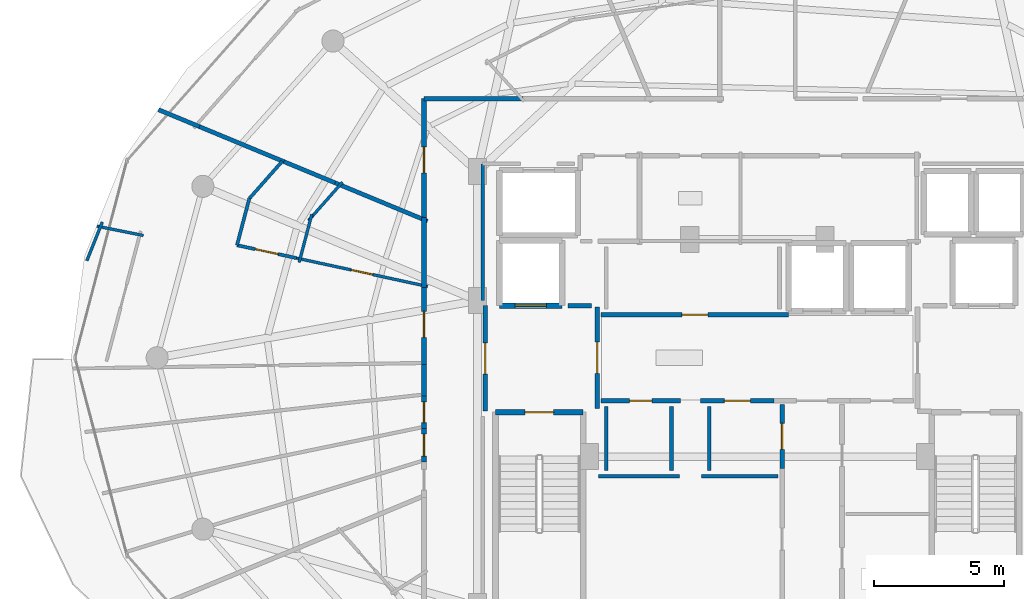
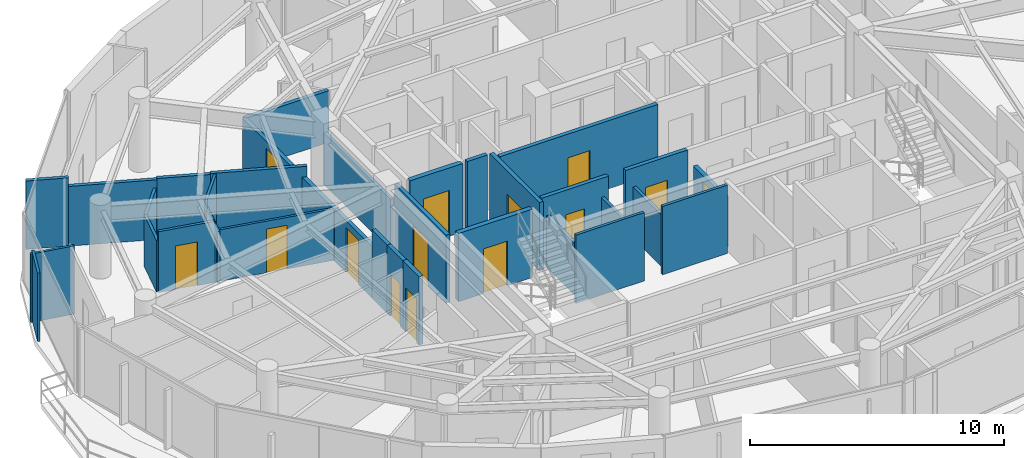
# One storey, part 25 of 32: 34 walls, 14 doors, 14 openings.
"""IFC4 building model written with IfcOpenShell, lengths in metres."""

import ifcopenshell
import ifcopenshell.guid

model = None  # the IFC model being written
_history = None  # IfcOwnerHistory: only IFC2X3 demands one
_inside = {}  # id of a spatial element -> (the spatial element, [elements in it])
_under = {}  # id of a project, library or spatial element -> (it, [spatial elements below it])
_declared = {}  # id of a project -> (the project, [libraries it declares])
_typed = {}  # id of a type object -> (the type object, [elements of that type])
_made_of = {}  # id of a material, layer set ... -> (it, [elements and type objects made of it])


def new_model(schema):
    """Start an empty IFC model of exactly this schema.

    Asked for "IFC4X3", IfcOpenShell would pick the latest addendum, in which some entities
    have other attributes; the version numbers below select the first issue.
    IFC2X3 requires an IfcOwnerHistory on every rooted entity: one is made here for all.
    """
    global model, _history
    if schema == "IFC4X3":
        model = ifcopenshell.file(schema_version=(4, 3, 0, 0))
    else:
        model = ifcopenshell.file(schema=schema)
    _inside.clear()
    _under.clear()
    _declared.clear()
    _typed.clear()
    _made_of.clear()
    _history = None
    if model.schema == "IFC2X3":
        org = make("IfcOrganization", Name="unknown")
        user = make(
            "IfcPersonAndOrganization",
            ThePerson=make("IfcPerson", FamilyName="unknown"),
            TheOrganization=org,
        )
        app = make(
            "IfcApplication",
            ApplicationDeveloper=org,
            Version="unknown",
            ApplicationFullName="unknown",
            ApplicationIdentifier="unknown",
        )
        _history = make(
            "IfcOwnerHistory",
            OwningUser=user,
            OwningApplication=app,
            ChangeAction="ADDED",
            CreationDate=0,
        )
    return model


def make(cls, **values):
    """One entity of the class cls with the attributes given. An attribute that is None is left unset."""
    return model.create_entity(
        cls, **{name: value for name, value in values.items() if value is not None}
    )


def rooted(cls, **values):
    """An entity with a GlobalId (a new one), such as an element, a storey or a relation."""
    return make(cls, GlobalId=ifcopenshell.guid.new(), OwnerHistory=_history, **values)


def si_unit(unit_type, name, prefix=None):
    """IfcSIUnit, for example si_unit("LENGTHUNIT", "METRE", prefix="MILLI")."""
    return make("IfcSIUnit", UnitType=unit_type, Prefix=prefix, Name=name)


def assignment(units):
    """IfcUnitAssignment: the units of a project."""
    return None if units is None else make("IfcUnitAssignment", Units=units)


def point(xyz):
    """IfcCartesianPoint."""
    return None if xyz is None else make("IfcCartesianPoint", Coordinates=xyz)


def direction(xyz):
    """IfcDirection."""
    return None if xyz is None else make("IfcDirection", DirectionRatios=xyz)


def frame(location, z_axis=None, x_axis=None):
    """IfcAxis2Placement3D, a coordinate frame: its origin and axes. An axis left out is left unset."""
    return make(
        "IfcAxis2Placement3D",
        Location=point(location),
        Axis=direction(z_axis),
        RefDirection=direction(x_axis),
    )


def frame_2d(location, x_axis=None):
    """IfcAxis2Placement2D, a coordinate frame in the plane: its origin and x axis."""
    return make(
        "IfcAxis2Placement2D", Location=point(location), RefDirection=direction(x_axis)
    )


def origin():
    """The frame at (0, 0, 0) with its axes left unset."""
    return frame((0.0, 0.0, 0.0))


def place(relative_to, where):
    """IfcLocalPlacement: puts the frame where relative to a parent placement (None: the world)."""
    return make(
        "IfcLocalPlacement", PlacementRelTo=relative_to, RelativePlacement=where
    )


def context(
    kind, dimensions, precision=None, world=None, true_north=None, identifier=None
):
    """IfcGeometricRepresentationContext, for example the 3D "Model" context."""
    return make(
        "IfcGeometricRepresentationContext",
        ContextIdentifier=identifier,
        ContextType=kind,
        CoordinateSpaceDimension=dimensions,
        Precision=precision,
        WorldCoordinateSystem=world,
        TrueNorth=true_north,
    )


def subcontext(parent, identifier, kind, view, scale=None):
    """IfcGeometricRepresentationSubContext, for example "Body" below "Model"."""
    return make(
        "IfcGeometricRepresentationSubContext",
        ContextIdentifier=identifier,
        ContextType=kind,
        ParentContext=parent,
        TargetScale=scale,
        TargetView=view,
    )


def project(units=None, contexts=None):
    """IfcProject with its units and contexts."""
    return rooted(
        "IfcProject",
        Name="project",
        RepresentationContexts=contexts,
        UnitsInContext=assignment(units),
    )


def spatial(cls, under=None, at=None, **own):
    """A site, building, storey or space (cls), placed at a placement, below another one or the project."""
    s = rooted(cls, ObjectPlacement=at, **own)
    if under is not None:
        _under.setdefault(under.id(), (under, []))[1].append(s)
    return s


def profile(cls, at=None, kind="AREA", **sizes):
    """A parametric profile (cls). Its sizes go by their IFC names, for example OverallWidth=200.0."""
    return make(cls, ProfileType=kind, Position=at, **sizes)


def rectangle(**sizes):
    """IfcRectangleProfileDef."""
    return profile("IfcRectangleProfileDef", **sizes)


def extrude(swept, where, along, depth):
    """IfcExtrudedAreaSolid: the profile swept, set in the frame where, extruded along a direction by depth."""
    return make(
        "IfcExtrudedAreaSolid",
        SweptArea=swept,
        Position=where,
        ExtrudedDirection=direction(along),
        Depth=depth,
    )


def shape(context_of_items, identifier, shape_type, items):
    """IfcShapeRepresentation: the items that make up one representation, for example the "Body"."""
    return make(
        "IfcShapeRepresentation",
        ContextOfItems=context_of_items,
        RepresentationIdentifier=identifier,
        RepresentationType=shape_type,
        Items=items,
    )


def material(Name=None, Category=None):
    """IfcMaterial."""
    return make("IfcMaterial", Name=Name, Category=Category)


def layer(
    of_material, thickness, ventilated=None, Name=None, Category=None, Priority=None
):
    """IfcMaterialLayer: one layer of a wall or slab, of a material (None: an air gap)."""
    return make(
        "IfcMaterialLayer",
        Material=of_material,
        LayerThickness=thickness,
        IsVentilated=ventilated,
        Name=Name,
        Category=Category,
        Priority=Priority,
    )


def layer_set(layers, Name=None):
    """IfcMaterialLayerSet."""
    return make("IfcMaterialLayerSet", MaterialLayers=layers, LayerSetName=Name)


def made_of(thing, what):
    """Note that an element or type object is made of a material, layer set ...; save() writes the relation."""
    if what is not None:
        _made_of.setdefault(what.id(), (what, []))[1].append(thing)
    return thing


def type_object(cls, material=None, **own):
    """A type object (cls), such as IfcWallType, which elements share."""
    return made_of(rooted(cls, **own), material)


def element(
    cls,
    number,
    at=None,
    inside=None,
    cuts=None,
    type_object=None,
    material=None,
    context=None,
    identifier="Body",
    shape_type=None,
    held_by="IfcProductDefinitionShape",
    body=None,
    shapes=None,
    **own,
):
    """One element of the class cls, such as IfcWall. Its Tag is "e" and its number.

    at: its placement. inside: the storey or other place that contains it. cuts: it is an
    opening in that element (IfcRelVoidsElement). A single representation is given by context,
    identifier, shape_type and body (its items); several are given by shapes. held_by: the class
    of the entity that holds the representations. save() writes the other relations.
    """
    e = rooted(cls, Tag="e%d" % number, ObjectPlacement=at, **own)
    if body is not None:
        shapes = [shape(context, identifier, shape_type, body)]
    if shapes is not None:
        e.Representation = make(held_by, Representations=shapes)
    if inside is not None:
        _inside.setdefault(inside.id(), (inside, []))[1].append(e)
    if cuts is not None:
        rooted(
            "IfcRelVoidsElement", RelatingBuildingElement=cuts, RelatedOpeningElement=e
        )
    if type_object is not None:
        _typed.setdefault(type_object.id(), (type_object, []))[1].append(e)
    return made_of(e, material)


def fill(opening, filler):
    """IfcRelFillsElement: the door or window that sits in an opening."""
    return rooted(
        "IfcRelFillsElement",
        RelatingOpeningElement=opening,
        RelatedBuildingElement=filler,
    )


def aggregate(whole, parts):
    """IfcRelAggregates: a whole, such as a stair, and the parts it consists of."""
    return rooted("IfcRelAggregates", RelatingObject=whole, RelatedObjects=parts)


def save(model, path):
    """Write the relations noted so far, then the file.

    IfcRelAggregates (storeys below a building ...), IfcRelContainedInSpatialStructure (elements
    in a storey), IfcRelDefinesByType, IfcRelAssociatesMaterial and IfcRelDeclares: one each for
    every whole, place, type object, material and project.
    """
    for whole, parts in _under.values():
        aggregate(whole, parts)
    for where, things in _inside.values():
        rooted(
            "IfcRelContainedInSpatialStructure",
            RelatedElements=things,
            RelatingStructure=where,
        )
    for kind, things in _typed.values():
        rooted("IfcRelDefinesByType", RelatedObjects=things, RelatingType=kind)
    for what, things in _made_of.values():
        rooted("IfcRelAssociatesMaterial", RelatedObjects=things, RelatingMaterial=what)
    for by, libraries in _declared.values():
        rooted("IfcRelDeclares", RelatingContext=by, RelatedDefinitions=libraries)
    model.write(path)


model = new_model("IFC4")

# Units and contexts
model_context = context("Model", 3, precision=1e-05, world=origin(), true_north=direction((0.0, 1.0)))
body_context = subcontext(model_context, "Body", "Model", "MODEL_VIEW")
ifc_project = project(units=[si_unit("LENGTHUNIT", "METRE"), si_unit("AREAUNIT", "SQUARE_METRE"), si_unit("VOLUMEUNIT", "CUBIC_METRE"), si_unit("PLANEANGLEUNIT", "RADIAN"), si_unit("MASSUNIT", "GRAM", prefix="KILO")], contexts=[model_context])

# Site, building, storey
site_placement = place(None, origin())
site = spatial("IfcSite", under=ifc_project, at=site_placement, CompositionType="ELEMENT")
building_placement = place(site_placement, origin())
building = spatial("IfcBuilding", under=site, at=building_placement, Name="Vorneva Point Tower", CompositionType="ELEMENT")
storey_placement = place(building_placement, frame((0.0, 0.0, 269.75)))
storey = spatial("IfcBuildingStorey", under=building, at=storey_placement, Name="L73", CompositionType="ELEMENT", Elevation=269.75)

# Wall, opening, door
ifc_material_1 = material(Name="Concrete B60 (C50/60)", Category="concrete")
ifc_layer_1 = layer(ifc_material_1, 0.35009765625)
ifc_layer_set_1 = layer_set([ifc_layer_1], Name="Concrete B60 (C50/60)")
wall_type_1 = type_object("IfcWallType", Name="WL-CORE-350", PredefinedType="SHEAR", material=ifc_layer_set_1)
wall_1_placement = place(storey_placement, frame((28.10009765625, 28.0, 0.0), z_axis=(0.0, 0.0, 1.0), x_axis=(1.0, 0.0, 0.0)))
wall_1 = element("IfcWall", 1, at=wall_1_placement, inside=storey, type_object=wall_type_1, Name="L73 Lift FFL1 Shaft Wall -Y", PredefinedType="SHEAR", context=body_context, shape_type="SweptSolid", body=[
    extrude(rectangle(XDim=2.39990234375, YDim=0.219970703125, at=frame_2d((1.199951171875, 0.0))), origin(), (0.0, 0.0, 1.0), 3.2900390625),
])
opening_1_placement = place(wall_1_placement, frame((0.60009765625, 0.0, 0.0)))
opening_1 = element("IfcOpeningElement", 2, at=opening_1_placement, cuts=wall_1, Name="Opening LD-02", PredefinedType="OPENING", context=body_context, shape_type="SweptSolid", body=[
    extrude(rectangle(XDim=1.199951171875, YDim=2.199951171875, at=frame_2d((0.60009765625, 1.10009765625))), frame((0.0, 0.125, 0.0), z_axis=(0.0, -1.0, 0.0), x_axis=(1.0, 0.0, 0.0)), (0.0, 0.0, 1.0), 0.249755859375),
])
ifc_material_2 = material(Name="Brushed stainless steel S304", Category="steel")
door_type_1 = type_object("IfcDoorType", Name="LD-FIRE-1200", OperationType="SLIDING_TO_LEFT", PredefinedType="DOOR", material=ifc_material_2)
door_1_placement = place(opening_1_placement, origin())
door_1 = element("IfcDoor", 3, at=door_1_placement, inside=storey, type_object=door_type_1, Name="L73 Lift FFL1 Sliding Landing Door", OperationType="SLIDING_TO_LEFT", OverallHeight=2.199951171875, OverallWidth=1.199951171875, PredefinedType="DOOR", context=body_context, shape_type="SweptSolid", body=[
    extrude(rectangle(XDim=1.199951171875, YDim=2.199951171875, at=frame_2d((0.60009765625, 1.10009765625))), frame((0.0, 0.02490234375, 0.0), z_axis=(0.0, -1.0, 0.0), x_axis=(1.0, 0.0, 0.0)), (0.0, 0.0, 1.0), 0.050048828125),
])
fill(opening_1, door_1)

ifc_material_3 = material(Name="Fire-rated acoustic gypsum stud partition", Category="gypsum")
ifc_layer_2 = layer(ifc_material_3, 0.110107421875)
ifc_layer_set_2 = layer_set([ifc_layer_2], Name="Fire-rated acoustic gypsum stud partition")
wall_type_2 = type_object("IfcWallType", Name="WL-PART-110", PredefinedType="PARTITIONING", material=ifc_layer_set_2)
wall_2_placement = place(storey_placement, frame((25.3369140625, 28.73828125, 0.0), z_axis=(0.0, 0.0, 1.0), x_axis=(-0.977382932841, 0.211477191656, 0.0)))
wall_2 = element("IfcWall", 4, at=wall_2_placement, inside=storey, type_object=wall_type_2, Name="L73 Interior Partition 088", PredefinedType="PARTITIONING", context=body_context, shape_type="SweptSolid", body=[
    extrude(rectangle(XDim=5.151123046875, YDim=0.110107421875, at=frame_2d((2.57568359375, 0.0))), origin(), (0.0, 0.0, 1.0), 2.48193359375),
])
opening_2_placement = place(wall_2_placement, frame((2.150390625, 0.0, 0.0)))
opening_2 = element("IfcOpeningElement", 5, at=opening_2_placement, cuts=wall_2, Name="Opening ID-02", PredefinedType="OPENING", context=body_context, shape_type="SweptSolid", body=[
    extrude(rectangle(XDim=0.85009765625, YDim=2.10009765625, at=frame_2d((0.425048828125, 1.050048828125))), frame((0.0, 0.06982421875, 0.0), z_axis=(0.0, -1.0, 0.0), x_axis=(1.0, 0.0, 0.0)), (0.0, 0.0, 1.0), 0.139892578125),
])
ifc_material_4 = material(Name="Engineered oak fire-rated door leaf", Category="wood")
door_type_2 = type_object("IfcDoorType", Name="DR-BATH-850", OperationType="NOTDEFINED", PredefinedType="DOOR", material=ifc_material_4)
door_2_placement = place(opening_2_placement, origin())
door_2 = element("IfcDoor", 6, at=door_2_placement, inside=storey, type_object=door_type_2, Name="L73 Door Living and Dining Room L73-04 / Bathroom L73-04", OperationType="SINGLE_SWING_LEFT", OverallHeight=2.10009765625, OverallWidth=0.85009765625, PredefinedType="DOOR", context=body_context, shape_type="SweptSolid", body=[
    extrude(rectangle(XDim=0.85009765625, YDim=2.10009765625, at=frame_2d((0.425048828125, 1.050048828125))), frame((0.0, 0.02490234375, 0.0), z_axis=(0.0, -1.0, 0.0), x_axis=(1.0, 0.0, 0.0)), (0.0, 0.0, 1.0), 0.050048828125),
])
fill(opening_2, door_2)

# Walls
wall_3_placement = place(storey_placement, frame((12.845947265625, 31.212890625, 0.0), z_axis=(0.0, 0.0, 1.0), x_axis=(-0.371522095559, -0.928424112414, 0.0)))
element("IfcWall", 7, at=wall_3_placement, inside=storey, type_object=wall_type_2, Name="L73 Interior Partition 089", PredefinedType="PARTITIONING", context=body_context, shape_type="SweptSolid", body=[
    extrude(rectangle(XDim=1.6015625, YDim=0.110107421875, at=frame_2d((0.80078125, 0.0))), origin(), (0.0, 0.0, 1.0), 3.2900390625),
])
wall_4_placement = place(storey_placement, frame((12.634765625, 31.053466796875, 0.0), z_axis=(0.0, 0.0, 1.0), x_axis=(0.980704252003, -0.195497238094, 0.0)))
element("IfcWall", 8, at=wall_4_placement, inside=storey, type_object=wall_type_2, Name="L73 Interior Partition 090", PredefinedType="PARTITIONING", context=body_context, shape_type="SweptSolid", body=[
    extrude(rectangle(XDim=1.82080078125, YDim=0.110107421875, at=frame_2d((0.910400390625, 0.0))), origin(), (0.0, 0.0, 1.0), 3.2900390625),
])
wall_5_placement = place(storey_placement, frame((22.065673828125, 32.743896484375, 0.0), z_axis=(0.0, 0.0, 1.0), x_axis=(-0.662047420969, -0.749461948593, 0.0)))
element("IfcWall", 9, at=wall_5_placement, inside=storey, type_object=wall_type_2, Name="L73 Interior Partition 096", PredefinedType="PARTITIONING", context=body_context, shape_type="SweptSolid", body=[
    extrude(rectangle(XDim=1.9716796875, YDim=0.110107421875, at=frame_2d((0.98583984375, 0.0))), origin(), (0.0, 0.0, 1.0), 2.93603515625),
])
wall_6_placement = place(storey_placement, frame((20.888671875, 31.50634765625, 0.0), z_axis=(0.0, 0.0, 1.0), x_axis=(-0.254568935897, -0.967054629727, 0.0)))
element("IfcWall", 10, at=wall_6_placement, inside=storey, type_object=wall_type_2, Name="L73 Interior Partition 097", PredefinedType="PARTITIONING", context=body_context, shape_type="SweptSolid", body=[
    extrude(rectangle(XDim=1.906494140625, YDim=0.110107421875, at=frame_2d((0.953125, 0.0))), origin(), (0.0, 0.0, 1.0), 2.48193359375),
])
ifc_layer_3 = layer(ifc_material_3, 0.125)
ifc_layer_set_3 = layer_set([ifc_layer_3], Name="Fire-rated acoustic gypsum stud partition")
wall_type_3 = type_object("IfcWallType", Name="WL-PART-125", PredefinedType="PARTITIONING", material=ifc_layer_set_3)
wall_7_placement = place(storey_placement, frame((35.0048828125, 21.449951171875, 0.0), z_axis=(0.0, 0.0, 1.0), x_axis=(-1.0, 0.0, 0.0)))
element("IfcWall", 11, at=wall_7_placement, inside=storey, type_object=wall_type_3, Name="L73 Interior Partition 028", PredefinedType="PARTITIONING", context=body_context, shape_type="SweptSolid", body=[
    extrude(rectangle(XDim=3.10986328125, YDim=0.125, at=frame_2d((1.554931640625, 0.0))), origin(), (0.0, 0.0, 1.0), 3.2900390625),
])
wall_8_placement = place(storey_placement, frame((38.800048828125, 21.449951171875, 0.0), z_axis=(0.0, 0.0, 1.0), x_axis=(-1.0, 0.0, 0.0)))
element("IfcWall", 12, at=wall_8_placement, inside=storey, type_object=wall_type_3, Name="L73 Interior Partition 029", PredefinedType="PARTITIONING", context=body_context, shape_type="SweptSolid", body=[
    extrude(rectangle(XDim=2.955078125, YDim=0.125, at=frame_2d((1.4775390625, 0.0))), origin(), (0.0, 0.0, 1.0), 3.2900390625),
])

# Wall, opening, door
wall_9_placement = place(storey_placement, frame((20.30224609375, 29.82763671875, 0.0), z_axis=(0.0, 0.0, 1.0), x_axis=(-0.977387924942, 0.211454118377, 0.0)))
wall_9 = element("IfcWall", 13, at=wall_9_placement, inside=storey, type_object=wall_type_3, Name="L73 Interior Partition 092", PredefinedType="PARTITIONING", context=body_context, shape_type="SweptSolid", body=[
    extrude(rectangle(XDim=2.338134765625, YDim=0.125, at=frame_2d((1.1689453125, 0.0))), origin(), (0.0, 0.0, 1.0), 2.93603515625),
])
opening_3_placement = place(wall_9_placement, frame((0.718994140625, 0.0, 0.0)))
opening_3 = element("IfcOpeningElement", 14, at=opening_3_placement, cuts=wall_9, Name="Opening ID-01", PredefinedType="OPENING", context=body_context, shape_type="SweptSolid", body=[
    extrude(rectangle(XDim=0.89990234375, YDim=2.10009765625, at=frame_2d((0.449951171875, 1.050048828125))), frame((0.0, 0.077392578125, 0.0), z_axis=(0.0, -1.0, 0.0), x_axis=(1.0, 0.0, 0.0)), (0.0, 0.0, 1.0), 0.15478515625),
])
door_type_3 = type_object("IfcDoorType", Name="DR-ROOM-900", OperationType="NOTDEFINED", PredefinedType="DOOR", material=ifc_material_4)
door_3_placement = place(opening_3_placement, origin())
door_3 = element("IfcDoor", 15, at=door_3_placement, inside=storey, type_object=door_type_3, Name="L73 Door Living and Dining Room L73-04 / Study Room L73-04", OperationType="SINGLE_SWING_LEFT", OverallHeight=2.10009765625, OverallWidth=0.89990234375, PredefinedType="DOOR", context=body_context, shape_type="SweptSolid", body=[
    extrude(rectangle(XDim=0.89990234375, YDim=2.10009765625, at=frame_2d((0.449951171875, 1.050048828125))), frame((0.0, 0.02490234375, 0.0), z_axis=(0.0, -1.0, 0.0), x_axis=(1.0, 0.0, 0.0)), (0.0, 0.0, 1.0), 0.050048828125),
])
fill(opening_3, door_3)

# Walls
wall_10_placement = place(storey_placement, frame((18.01708984375, 30.322021484375, 0.0), z_axis=(0.0, 0.0, 1.0), x_axis=(0.254434866485, 0.967089912426, 0.0)))
element("IfcWall", 16, at=wall_10_placement, inside=storey, type_object=wall_type_3, Name="L73 Interior Partition 093", PredefinedType="PARTITIONING", context=body_context, shape_type="SweptSolid", body=[
    extrude(rectangle(XDim=1.85107421875, YDim=0.125, at=frame_2d((0.925537109375, 0.0))), origin(), (0.0, 0.0, 1.0), 2.48193359375),
])
wall_11_placement = place(storey_placement, frame((18.488037109375, 32.112060546875, 0.0), z_axis=(0.0, 0.0, 1.0), x_axis=(0.661856531983, 0.749630529709, 0.0)))
element("IfcWall", 17, at=wall_11_placement, inside=storey, type_object=wall_type_3, Name="L73 Interior Partition 094", PredefinedType="PARTITIONING", context=body_context, shape_type="SweptSolid", body=[
    extrude(rectangle(XDim=1.9248046875, YDim=0.125, at=frame_2d((0.96240234375, 0.0))), origin(), (0.0, 0.0, 1.0), 2.48193359375),
])
ifc_layer_4 = layer(ifc_material_3, 0.139892578125)
ifc_layer_set_4 = layer_set([ifc_layer_4], Name="Fire-rated acoustic gypsum stud partition")
wall_type_4 = type_object("IfcWallType", Name="WL-PART-140", PredefinedType="PARTITIONING", material=ifc_layer_set_4)
for number, where, z_axis, x_axis, name in (
    (18, (32.199951171875, 24.1298828125, 0.0), (0.0, 0.0, 1.0), (0.0, -1.0, 0.0), "L73 Interior Closure Partition 133"),
    (19, (34.699951171875, 21.669921875, 0.0), (0.0, 0.0, 1.0), (0.0, 1.0, 0.0), "L73 Interior Closure Partition 134"),
    (20, (36.14990234375, 24.1298828125, 0.0), (0.0, 0.0, 1.0), (0.0, -1.0, 0.0), "L73 Interior Closure Partition 135"),
):
    element("IfcWall", number, at=place(storey_placement, frame(where, z_axis=z_axis, x_axis=x_axis)), inside=storey, type_object=wall_type_4, Name=name, PredefinedType="PARTITIONING", context=body_context, shape_type="SweptSolid", body=[
        extrude(rectangle(XDim=2.4599609375, YDim=0.139892578125, at=frame_2d((1.22998046875, 0.0))), origin(), (0.0, 0.0, 1.0), 2.48193359375),
    ])
wall_12_placement = place(storey_placement, frame((27.449951171875, 33.449951171875, 0.0), z_axis=(0.0, 0.0, 1.0), x_axis=(0.0, -1.0, 0.0)))
element("IfcWall", 21, at=wall_12_placement, inside=storey, type_object=wall_type_4, Name="L73 Interior Closure Partition 147", PredefinedType="PARTITIONING", context=body_context, shape_type="SweptSolid", body=[
    extrude(rectangle(XDim=5.25390625, YDim=0.139892578125, at=frame_2d((2.626953125, 0.0))), origin(), (0.0, 0.0, 1.0), 2.48193359375),
])
ifc_layer_5 = layer(ifc_material_3, 0.159912109375)
ifc_layer_set_5 = layer_set([ifc_layer_5], Name="Fire-rated acoustic gypsum stud partition")
wall_type_5 = type_object("IfcWallType", Name="WL-PART-160", PredefinedType="PARTITIONING", material=ifc_layer_set_5)
wall_13_placement = place(storey_placement, frame((16.446044921875, 34.927978515625, 0.0), z_axis=(0.0, 0.0, 1.0), x_axis=(0.923904292622, -0.3826236507, 0.0)))
element("IfcWall", 22, at=wall_13_placement, inside=storey, type_object=wall_type_5, Name="L73 Interior Partition 084", PredefinedType="PARTITIONING", context=body_context, shape_type="SweptSolid", body=[
    extrude(rectangle(XDim=3.6484375, YDim=0.159912109375, at=frame_2d((1.82421875, 0.0))), origin(), (0.0, 0.0, 1.0), 2.8740234375),
])
wall_14_placement = place(storey_placement, frame((21.78466796875, 32.716552734375, 0.0), z_axis=(0.0, 0.0, 1.0), x_axis=(0.923878783617, -0.382685240352, 0.0)))
element("IfcWall", 23, at=wall_14_placement, inside=storey, type_object=wall_type_5, Name="L73 Interior Partition 085", PredefinedType="PARTITIONING", context=body_context, shape_type="SweptSolid", body=[
    extrude(rectangle(XDim=3.836669921875, YDim=0.159912109375, at=frame_2d((1.91845703125, 0.0))), origin(), (0.0, 0.0, 1.0), 2.97900390625),
])
wall_15_placement = place(storey_placement, frame((19.81689453125, 33.53173828125, 0.0), z_axis=(0.0, 0.0, 1.0), x_axis=(0.92391905869, -0.382587993786, 0.0)))
element("IfcWall", 24, at=wall_15_placement, inside=storey, type_object=wall_type_5, Name="L73 Interior Partition 086", PredefinedType="PARTITIONING", context=body_context, shape_type="SweptSolid", body=[
    extrude(rectangle(XDim=2.130126953125, YDim=0.159912109375, at=frame_2d((1.06494140625, 0.0))), origin(), (0.0, 0.0, 1.0), 2.93603515625),
])
wall_16_placement = place(storey_placement, frame((15.003662109375, 35.525634765625, 0.0), z_axis=(0.0, 0.0, 1.0), x_axis=(0.923843638485, -0.382770076719, 0.0)))
element("IfcWall", 25, at=wall_16_placement, inside=storey, type_object=wall_type_5, Name="L73 Interior Partition 087", PredefinedType="PARTITIONING", context=body_context, shape_type="SweptSolid", body=[
    extrude(rectangle(XDim=1.701171875, YDim=0.159912109375, at=frame_2d((0.8505859375, 0.0))), origin(), (0.0, 0.0, 1.0), 3.2900390625),
])

# Wall, opening, door
ifc_material_5 = material(Name="Autoclaved aerated concrete blockwork", Category="masonry")
ifc_layer_6 = layer(ifc_material_5, 0.179931640625)
ifc_layer_set_6 = layer_set([ifc_layer_6], Name="Autoclaved aerated concrete blockwork")
wall_type_6 = type_object("IfcWallType", Name="WL-PART-180", PredefinedType="PARTITIONING", material=ifc_layer_set_6)
wall_17_placement = place(storey_placement, frame((31.85009765625, 24.044921875, 0.0), z_axis=(0.0, 0.0, 1.0), x_axis=(0.0, 1.0, 0.0)))
wall_17 = element("IfcWall", 26, at=wall_17_placement, inside=storey, type_object=wall_type_6, Name="L73 Interior Partition 001", PredefinedType="PARTITIONING", context=body_context, shape_type="SweptSolid", body=[
    extrude(rectangle(XDim=3.91015625, YDim=0.179931640625, at=frame_2d((1.955078125, 0.0))), origin(), (0.0, 0.0, 1.0), 3.2900390625),
])
opening_4_placement = place(wall_17_placement, frame((1.35498046875, 0.0, 0.0)))
opening_4 = element("IfcOpeningElement", 27, at=opening_4_placement, cuts=wall_17, Name="Opening FD-02", PredefinedType="OPENING", context=body_context, shape_type="SweptSolid", body=[
    extrude(rectangle(XDim=1.199951171875, YDim=2.14990234375, at=frame_2d((0.60009765625, 1.074951171875))), frame((0.0, 0.10498046875, 0.0), z_axis=(0.0, -1.0, 0.0), x_axis=(1.0, 0.0, 0.0)), (0.0, 0.0, 1.0), 0.209716796875),
])
ifc_material_6 = material(Name="Fire-rated powder-coated steel", Category="steel")
door_type_4 = type_object("IfcDoorType", Name="DR-FFL-1200", OperationType="NOTDEFINED", PredefinedType="DOOR", material=ifc_material_6)
door_4_placement = place(opening_4_placement, origin())
door_4 = element("IfcDoor", 28, at=door_4_placement, inside=storey, type_object=door_type_4, Name="L73 Door West Firefighting Lobby / Central Lift Lobby", OperationType="SINGLE_SWING_RIGHT", OverallHeight=2.14990234375, OverallWidth=1.199951171875, PredefinedType="DOOR", context=body_context, shape_type="SweptSolid", body=[
    extrude(rectangle(XDim=1.199951171875, YDim=2.14990234375, at=frame_2d((0.60009765625, 1.074951171875))), frame((0.0, 0.02490234375, 0.0), z_axis=(0.0, -1.0, 0.0), x_axis=(1.0, 0.0, 0.0)), (0.0, 0.0, 1.0), 0.050048828125),
])
fill(opening_4, door_4)

wall_18_placement = place(storey_placement, frame((27.550048828125, 28.0, 0.0), z_axis=(0.0, 0.0, 1.0), x_axis=(0.0, -1.0, 0.0)))
wall_18 = element("IfcWall", 29, at=wall_18_placement, inside=storey, type_object=wall_type_6, Name="L73 Interior Partition 002", PredefinedType="PARTITIONING", context=body_context, shape_type="SweptSolid", body=[
    extrude(rectangle(XDim=4.050048828125, YDim=0.179931640625, at=frame_2d((2.02490234375, 0.0))), origin(), (0.0, 0.0, 1.0), 3.2900390625),
])
opening_5_placement = place(wall_18_placement, frame((1.425048828125, 0.0, 0.0)))
opening_5 = element("IfcOpeningElement", 30, at=opening_5_placement, cuts=wall_18, Name="Opening FD-02", PredefinedType="OPENING", context=body_context, shape_type="SweptSolid", body=[
    extrude(rectangle(XDim=1.199951171875, YDim=2.14990234375, at=frame_2d((0.60009765625, 1.074951171875))), frame((0.0, 0.10498046875, 0.0), z_axis=(0.0, -1.0, 0.0), x_axis=(1.0, 0.0, 0.0)), (0.0, 0.0, 1.0), 0.209716796875),
])
door_5_placement = place(opening_5_placement, origin())
door_5 = element("IfcDoor", 31, at=door_5_placement, inside=storey, type_object=door_type_4, Name="L73 Door West Firefighting Lobby / L73 Circulation Corridor", OperationType="SINGLE_SWING_RIGHT", OverallHeight=2.14990234375, OverallWidth=1.199951171875, PredefinedType="DOOR", context=body_context, shape_type="SweptSolid", body=[
    extrude(rectangle(XDim=1.199951171875, YDim=2.14990234375, at=frame_2d((0.60009765625, 1.074951171875))), frame((0.0, 0.02490234375, 0.0), z_axis=(0.0, -1.0, 0.0), x_axis=(1.0, 0.0, 0.0)), (0.0, 0.0, 1.0), 0.050048828125),
])
fill(opening_5, door_5)

wall_19_placement = place(storey_placement, frame((39.18994140625, 27.64990234375, 0.0), z_axis=(0.0, 0.0, 1.0), x_axis=(-1.0, 0.0, 0.0)))
wall_19 = element("IfcWall", 32, at=wall_19_placement, inside=storey, type_object=wall_type_6, Name="L73 Interior Partition 012", PredefinedType="PARTITIONING", context=body_context, shape_type="SweptSolid", body=[
    extrude(rectangle(XDim=7.18994140625, YDim=0.179931640625, at=frame_2d((3.594970703125, 0.0))), origin(), (0.0, 0.0, 1.0), 3.2900390625),
])
opening_6_placement = place(wall_19_placement, frame((3.094970703125, 0.0, 0.0)))
opening_6 = element("IfcOpeningElement", 33, at=opening_6_placement, cuts=wall_19, Name="Opening UD-01", PredefinedType="OPENING", context=body_context, shape_type="SweptSolid", body=[
    extrude(rectangle(XDim=1.0, YDim=2.14990234375, at=frame_2d((0.5, 1.074951171875))), frame((0.0, 0.10498046875, 0.0), z_axis=(0.0, -1.0, 0.0), x_axis=(1.0, 0.0, 0.0)), (0.0, 0.0, 1.0), 0.209716796875),
])
door_type_5 = type_object("IfcDoorType", Name="DR-UNIT-1000", OperationType="NOTDEFINED", PredefinedType="DOOR", material=ifc_material_4)
door_6_placement = place(opening_6_placement, origin())
door_6 = element("IfcDoor", 34, at=door_6_placement, inside=storey, type_object=door_type_5, Name="L73 Door Central Lift Lobby / Reclaimed Core Meeting Room", OperationType="SINGLE_SWING_LEFT", OverallHeight=2.14990234375, OverallWidth=1.0, PredefinedType="DOOR", context=body_context, shape_type="SweptSolid", body=[
    extrude(rectangle(XDim=1.0, YDim=2.14990234375, at=frame_2d((0.5, 1.074951171875))), frame((0.0, 0.02490234375, 0.0), z_axis=(0.0, -1.0, 0.0), x_axis=(1.0, 0.0, 0.0)), (0.0, 0.0, 1.0), 0.050048828125),
])
fill(opening_6, door_6)

wall_20_placement = place(storey_placement, frame((32.0, 24.35009765625, 0.0), z_axis=(0.0, 0.0, 1.0), x_axis=(1.0, 0.0, 0.0)))
wall_20 = element("IfcWall", 35, at=wall_20_placement, inside=storey, type_object=wall_type_6, Name="L73 Interior Partition 013", PredefinedType="PARTITIONING", context=body_context, shape_type="SweptSolid", body=[
    extrude(rectangle(XDim=3.0400390625, YDim=0.179931640625, at=frame_2d((1.52001953125, 0.0))), origin(), (0.0, 0.0, 1.0), 3.2900390625),
])
opening_7_placement = place(wall_20_placement, frame((1.094970703125, 0.0, 0.0)))
opening_7 = element("IfcOpeningElement", 36, at=opening_7_placement, cuts=wall_20, Name="Opening ID-02", PredefinedType="OPENING", context=body_context, shape_type="SweptSolid", body=[
    extrude(rectangle(XDim=0.85009765625, YDim=2.10009765625, at=frame_2d((0.425048828125, 1.050048828125))), frame((0.0, 0.10498046875, 0.0), z_axis=(0.0, -1.0, 0.0), x_axis=(1.0, 0.0, 0.0)), (0.0, 0.0, 1.0), 0.209716796875),
])
door_7_placement = place(opening_7_placement, origin())
door_7 = element("IfcDoor", 37, at=door_7_placement, inside=storey, type_object=door_type_2, Name="L73 Door Central Lift Lobby / Reclaimed High-Zone Valet Room", OperationType="SINGLE_SWING_RIGHT", OverallHeight=2.10009765625, OverallWidth=0.85009765625, PredefinedType="DOOR", context=body_context, shape_type="SweptSolid", body=[
    extrude(rectangle(XDim=0.85009765625, YDim=2.10009765625, at=frame_2d((0.425048828125, 1.050048828125))), frame((0.0, 0.02490234375, 0.0), z_axis=(0.0, -1.0, 0.0), x_axis=(1.0, 0.0, 0.0)), (0.0, 0.0, 1.0), 0.050048828125),
])
fill(opening_7, door_7)

wall_21_placement = place(storey_placement, frame((35.81005859375, 24.35009765625, 0.0), z_axis=(0.0, 0.0, 1.0), x_axis=(1.0, 0.0, 0.0)))
wall_21 = element("IfcWall", 38, at=wall_21_placement, inside=storey, type_object=wall_type_6, Name="L73 Interior Partition 014", PredefinedType="PARTITIONING", context=body_context, shape_type="SweptSolid", body=[
    extrude(rectangle(XDim=2.8349609375, YDim=0.179931640625, at=frame_2d((1.41748046875, 0.0))), origin(), (0.0, 0.0, 1.0), 3.2900390625),
])
opening_8_placement = place(wall_21_placement, frame((0.91748046875, 0.0, 0.0)))
opening_8 = element("IfcOpeningElement", 39, at=opening_8_placement, cuts=wall_21, Name="Opening UD-01", PredefinedType="OPENING", context=body_context, shape_type="SweptSolid", body=[
    extrude(rectangle(XDim=1.0, YDim=2.14990234375, at=frame_2d((0.5, 1.074951171875))), frame((0.0, 0.10498046875, 0.0), z_axis=(0.0, -1.0, 0.0), x_axis=(1.0, 0.0, 0.0)), (0.0, 0.0, 1.0), 0.209716796875),
])
door_8_placement = place(opening_8_placement, origin())
door_8 = element("IfcDoor", 40, at=door_8_placement, inside=storey, type_object=door_type_5, Name="L73 Door Central Lift Lobby / Reclaimed High-Zone Tasting Room", OperationType="SINGLE_SWING_LEFT", OverallHeight=2.14990234375, OverallWidth=1.0, PredefinedType="DOOR", context=body_context, shape_type="SweptSolid", body=[
    extrude(rectangle(XDim=1.0, YDim=2.14990234375, at=frame_2d((0.5, 1.074951171875))), frame((0.0, 0.02490234375, 0.0), z_axis=(0.0, -1.0, 0.0), x_axis=(1.0, 0.0, 0.0)), (0.0, 0.0, 1.0), 0.050048828125),
])
fill(opening_8, door_8)

wall_22_placement = place(storey_placement, frame((38.949951171875, 24.199951171875, 0.0), z_axis=(0.0, 0.0, 1.0), x_axis=(0.0, -1.0, 0.0)))
wall_22 = element("IfcWall", 41, at=wall_22_placement, inside=storey, type_object=wall_type_6, Name="L73 Interior Partition 018", PredefinedType="PARTITIONING", context=body_context, shape_type="SweptSolid", body=[
    extrude(rectangle(XDim=2.445068359375, YDim=0.179931640625, at=frame_2d((1.22265625, 0.0))), origin(), (0.0, 0.0, 1.0), 2.48193359375),
])
opening_9_placement = place(wall_22_placement, frame((0.722412109375, 0.0, 0.0)))
opening_9 = element("IfcOpeningElement", 42, at=opening_9_placement, cuts=wall_22, Name="Opening UD-01", PredefinedType="OPENING", context=body_context, shape_type="SweptSolid", body=[
    extrude(rectangle(XDim=1.0, YDim=2.14990234375, at=frame_2d((0.5, 1.074951171875))), frame((0.0, 0.10498046875, 0.0), z_axis=(0.0, -1.0, 0.0), x_axis=(1.0, 0.0, 0.0)), (0.0, 0.0, 1.0), 0.209716796875),
])
door_9_placement = place(opening_9_placement, origin())
door_9 = element("IfcDoor", 43, at=door_9_placement, inside=storey, type_object=door_type_5, Name="L73 Door Core Service Lobby / Reclaimed High-Zone Tasting Room", OperationType="SINGLE_SWING_LEFT", OverallHeight=2.14990234375, OverallWidth=1.0, PredefinedType="DOOR", context=body_context, shape_type="SweptSolid", body=[
    extrude(rectangle(XDim=1.0, YDim=2.14990234375, at=frame_2d((0.5, 1.074951171875))), frame((0.0, 0.02490234375, 0.0), z_axis=(0.0, -1.0, 0.0), x_axis=(1.0, 0.0, 0.0)), (0.0, 0.0, 1.0), 0.050048828125),
])
fill(opening_9, door_9)

# Wall
wall_23_placement = place(storey_placement, frame((29.006103515625, 35.949951171875, 0.0), z_axis=(0.0, 0.0, 1.0), x_axis=(-1.0, 0.0, 0.0)))
element("IfcWall", 44, at=wall_23_placement, inside=storey, type_object=wall_type_6, Name="L73 Interior Partition 039", PredefinedType="PARTITIONING", context=body_context, shape_type="SweptSolid", body=[
    extrude(rectangle(XDim=3.80615234375, YDim=0.179931640625, at=frame_2d((1.903076171875, 0.0))), origin(), (0.0, 0.0, 1.0), 2.48193359375),
])

# Wall, opening, door
wall_24_placement = place(storey_placement, frame((25.199951171875, 35.949951171875, 0.0), z_axis=(0.0, 0.0, 1.0), x_axis=(0.0, -1.0, 0.0)))
wall_24 = element("IfcWall", 45, at=wall_24_placement, inside=storey, type_object=wall_type_6, Name="L73 Interior Partition 040", PredefinedType="PARTITIONING", context=body_context, shape_type="SweptSolid", body=[
    extrude(rectangle(XDim=4.7080078125, YDim=0.179931640625, at=frame_2d((2.35400390625, 0.0))), origin(), (0.0, 0.0, 1.0), 2.48193359375),
])
opening_10_placement = place(wall_24_placement, frame((1.85400390625, 0.0, 0.0)))
opening_10 = element("IfcOpeningElement", 46, at=opening_10_placement, cuts=wall_24, Name="Opening UD-01", PredefinedType="OPENING", context=body_context, shape_type="SweptSolid", body=[
    extrude(rectangle(XDim=1.0, YDim=2.14990234375, at=frame_2d((0.5, 1.074951171875))), frame((0.0, 0.10498046875, 0.0), z_axis=(0.0, -1.0, 0.0), x_axis=(1.0, 0.0, 0.0)), (0.0, 0.0, 1.0), 0.209716796875),
])
door_10_placement = place(opening_10_placement, origin())
door_10 = element("IfcDoor", 47, at=door_10_placement, inside=storey, type_object=door_type_5, Name="L73 Door L73 Circulation Corridor / Studio Apartment L73-03", OperationType="SINGLE_SWING_RIGHT", OverallHeight=2.14990234375, OverallWidth=1.0, PredefinedType="DOOR", context=body_context, shape_type="SweptSolid", body=[
    extrude(rectangle(XDim=1.0, YDim=2.14990234375, at=frame_2d((0.5, 1.074951171875))), frame((0.0, 0.02490234375, 0.0), z_axis=(0.0, -1.0, 0.0), x_axis=(1.0, 0.0, 0.0)), (0.0, 0.0, 1.0), 0.050048828125),
])
fill(opening_10, door_10)

wall_25_placement = place(storey_placement, frame((25.199951171875, 28.8291015625, 0.0), z_axis=(0.0, 0.0, 1.0), x_axis=(0.0, -1.0, 0.0)))
wall_25 = element("IfcWall", 48, at=wall_25_placement, inside=storey, type_object=wall_type_6, Name="L73 Interior Partition 042", PredefinedType="PARTITIONING", context=body_context, shape_type="SweptSolid", body=[
    extrude(rectangle(XDim=3.090087890625, YDim=0.179931640625, at=frame_2d((1.544921875, 0.0))), origin(), (0.0, 0.0, 1.0), 2.48193359375),
])
opening_11_placement = place(wall_25_placement, frame((1.044921875, 0.0, 0.0)))
opening_11 = element("IfcOpeningElement", 49, at=opening_11_placement, cuts=wall_25, Name="Opening UD-01", PredefinedType="OPENING", context=body_context, shape_type="SweptSolid", body=[
    extrude(rectangle(XDim=1.0, YDim=2.14990234375, at=frame_2d((0.5, 1.074951171875))), frame((0.0, 0.10498046875, 0.0), z_axis=(0.0, -1.0, 0.0), x_axis=(1.0, 0.0, 0.0)), (0.0, 0.0, 1.0), 0.209716796875),
])
door_11_placement = place(opening_11_placement, origin())
door_11 = element("IfcDoor", 50, at=door_11_placement, inside=storey, type_object=door_type_5, Name="L73 Door L73 Circulation Corridor / Living and Dining Room L73-04", OperationType="SINGLE_SWING_LEFT", OverallHeight=2.14990234375, OverallWidth=1.0, PredefinedType="DOOR", context=body_context, shape_type="SweptSolid", body=[
    extrude(rectangle(XDim=1.0, YDim=2.14990234375, at=frame_2d((0.5, 1.074951171875))), frame((0.0, 0.02490234375, 0.0), z_axis=(0.0, -1.0, 0.0), x_axis=(1.0, 0.0, 0.0)), (0.0, 0.0, 1.0), 0.050048828125),
])
fill(opening_11, door_11)

# Walls
wall_26_placement = place(storey_placement, frame((25.199951171875, 31.382080078125, 0.0), z_axis=(0.0, 0.0, 1.0), x_axis=(0.0, -1.0, 0.0)))
element("IfcWall", 51, at=wall_26_placement, inside=storey, type_object=wall_type_6, Name="L73 Interior Partition 043", PredefinedType="PARTITIONING", context=body_context, shape_type="SweptSolid", body=[
    extrude(rectangle(XDim=2.693115234375, YDim=0.179931640625, at=frame_2d((1.3466796875, 0.0))), origin(), (0.0, 0.0, 1.0), 2.48193359375),
])
wall_27_placement = place(storey_placement, frame((25.199951171875, 25.739013671875, 0.0), z_axis=(0.0, 0.0, 1.0), x_axis=(0.0, -1.0, 0.0)))
element("IfcWall", 52, at=wall_27_placement, inside=storey, type_object=wall_type_6, Name="L73 Interior Partition 044", PredefinedType="PARTITIONING", context=body_context, shape_type="SweptSolid", body=[
    extrude(rectangle(XDim=1.2119140625, YDim=0.179931640625, at=frame_2d((0.60595703125, 0.0))), origin(), (0.0, 0.0, 1.0), 3.2900390625),
])

# Wall, opening, door
wall_28_placement = place(storey_placement, frame((25.199951171875, 24.527099609375, 0.0), z_axis=(0.0, 0.0, 1.0), x_axis=(0.0, -1.0, 0.0)))
wall_28 = element("IfcWall", 53, at=wall_28_placement, inside=storey, type_object=wall_type_6, Name="L73 Interior Partition 045", PredefinedType="PARTITIONING", context=body_context, shape_type="SweptSolid", body=[
    extrude(rectangle(XDim=1.239013671875, YDim=0.179931640625, at=frame_2d((0.61962890625, 0.0))), origin(), (0.0, 0.0, 1.0), 3.2900390625),
])
opening_12_placement = place(wall_28_placement, frame((0.219482421875, 0.0, 0.0)))
opening_12 = element("IfcOpeningElement", 54, at=opening_12_placement, cuts=wall_28, Name="Opening RD-01", PredefinedType="OPENING", context=body_context, shape_type="SweptSolid", body=[
    extrude(rectangle(XDim=0.800048828125, YDim=2.050048828125, at=frame_2d((0.39990234375, 1.02490234375))), frame((0.0, 0.10498046875, 0.0), z_axis=(0.0, -1.0, 0.0), x_axis=(1.0, 0.0, 0.0)), (0.0, 0.0, 1.0), 0.209716796875),
])
door_type_6 = type_object("IfcDoorType", Name="DR-RSR-800", OperationType="SINGLE_SWING_LEFT", PredefinedType="DOOR", material=ifc_material_6)
door_12_placement = place(opening_12_placement, origin())
door_12 = element("IfcDoor", 55, at=door_12_placement, inside=storey, type_object=door_type_6, Name="L73 Access Door L73 Circulation Corridor", OperationType="SINGLE_SWING_RIGHT", OverallHeight=2.050048828125, OverallWidth=0.800048828125, PredefinedType="DOOR", context=body_context, shape_type="SweptSolid", body=[
    extrude(rectangle(XDim=0.800048828125, YDim=2.050048828125, at=frame_2d((0.39990234375, 1.02490234375))), frame((0.0, 0.02490234375, 0.0), z_axis=(0.0, -1.0, 0.0), x_axis=(1.0, 0.0, 0.0)), (0.0, 0.0, 1.0), 0.050048828125),
])
fill(opening_12, door_12)

wall_29_placement = place(storey_placement, frame((25.199951171875, 23.2880859375, 0.0), z_axis=(0.0, 0.0, 1.0), x_axis=(0.0, -1.0, 0.0)))
wall_29 = element("IfcWall", 56, at=wall_29_placement, inside=storey, type_object=wall_type_6, Name="L73 Interior Partition 046", PredefinedType="PARTITIONING", context=body_context, shape_type="SweptSolid", body=[
    extrude(rectangle(XDim=1.2890625, YDim=0.179931640625, at=frame_2d((0.64453125, 0.0))), origin(), (0.0, 0.0, 1.0), 3.2900390625),
])
opening_13_placement = place(wall_29_placement, frame((0.219482421875, 0.0, 0.0)))
opening_13 = element("IfcOpeningElement", 57, at=opening_13_placement, cuts=wall_29, Name="Opening ID-02", PredefinedType="OPENING", context=body_context, shape_type="SweptSolid", body=[
    extrude(rectangle(XDim=0.85009765625, YDim=2.10009765625, at=frame_2d((0.425048828125, 1.050048828125))), frame((0.0, 0.10498046875, 0.0), z_axis=(0.0, -1.0, 0.0), x_axis=(1.0, 0.0, 0.0)), (0.0, 0.0, 1.0), 0.209716796875),
])
door_13_placement = place(opening_13_placement, origin())
door_13 = element("IfcDoor", 58, at=door_13_placement, inside=storey, type_object=door_type_2, Name="L73 Access Door L73 Circulation Corridor", OperationType="SINGLE_SWING_LEFT", OverallHeight=2.10009765625, OverallWidth=0.85009765625, PredefinedType="DOOR", context=body_context, shape_type="SweptSolid", body=[
    extrude(rectangle(XDim=0.85009765625, YDim=2.10009765625, at=frame_2d((0.425048828125, 1.050048828125))), frame((0.0, 0.02490234375, 0.0), z_axis=(0.0, -1.0, 0.0), x_axis=(1.0, 0.0, 0.0)), (0.0, 0.0, 1.0), 0.050048828125),
])
fill(opening_13, door_13)

# Wall
wall_30_placement = place(storey_placement, frame((31.635009765625, 28.0, 0.0), z_axis=(0.0, 0.0, 1.0), x_axis=(-1.0, 0.0, 0.0)))
element("IfcWall", 59, at=wall_30_placement, inside=storey, type_object=wall_type_6, Name="L73 Interior Closure Partition 126", PredefinedType="PARTITIONING", context=body_context, shape_type="SweptSolid", body=[
    extrude(rectangle(XDim=0.9150390625, YDim=0.179931640625, at=frame_2d((0.45751953125, 0.0))), origin(), (0.0, 0.0, 1.0), 3.2900390625),
])

# Wall, opening, door
ifc_material_7 = material(Name="Concrete B50 (C40/50)", Category="concrete")
ifc_layer_7 = layer(ifc_material_7, 0.219970703125)
ifc_layer_set_7 = layer_set([ifc_layer_7], Name="Concrete B50 (C40/50)")
wall_type_7 = type_object("IfcWallType", Name="WL-SHFT-220", PredefinedType="SOLIDWALL", material=ifc_layer_set_7)
wall_31_placement = place(storey_placement, frame((27.93994140625, 23.909912109375, 0.0), z_axis=(0.0, 0.0, 1.0), x_axis=(1.0, 0.0, 0.0)))
wall_31 = element("IfcWall", 60, at=wall_31_placement, inside=storey, type_object=wall_type_7, Name="L73 Exit Stair ST1 Shaft Wall near", PredefinedType="SOLIDWALL", context=body_context, shape_type="SweptSolid", body=[
    extrude(rectangle(XDim=3.3701171875, YDim=0.219970703125, at=frame_2d((1.68505859375, 0.0))), origin(), (0.0, 0.0, 1.0), 3.2900390625),
])
opening_14_placement = place(wall_31_placement, frame((1.135009765625, 0.0, 0.0)))
opening_14 = element("IfcOpeningElement", 61, at=opening_14_placement, cuts=wall_31, Name="Opening FD-01", PredefinedType="OPENING", context=body_context, shape_type="SweptSolid", body=[
    extrude(rectangle(XDim=1.10009765625, YDim=2.14990234375, at=frame_2d((0.550048828125, 1.074951171875))), frame((0.0, 0.125, 0.0), z_axis=(0.0, -1.0, 0.0), x_axis=(1.0, 0.0, 0.0)), (0.0, 0.0, 1.0), 0.249755859375),
])
door_type_7 = type_object("IfcDoorType", Name="DR-STAIR-1100", OperationType="NOTDEFINED", PredefinedType="DOOR", material=ifc_material_6)
door_14_placement = place(opening_14_placement, origin())
door_14 = element("IfcDoor", 62, at=door_14_placement, inside=storey, type_object=door_type_7, Name="L73 Exit Stair ST1 Fire Door", OperationType="SINGLE_SWING_LEFT", OverallHeight=2.14990234375, OverallWidth=1.10009765625, PredefinedType="DOOR", context=body_context, shape_type="SweptSolid", body=[
    extrude(rectangle(XDim=1.10009765625, YDim=2.14990234375, at=frame_2d((0.550048828125, 1.074951171875))), frame((0.0, 0.02490234375, 0.0), z_axis=(0.0, -1.0, 0.0), x_axis=(1.0, 0.0, 0.0)), (0.0, 0.0, 1.0), 0.050048828125),
])
fill(opening_14, door_14)

save(model, "model.ifc")
